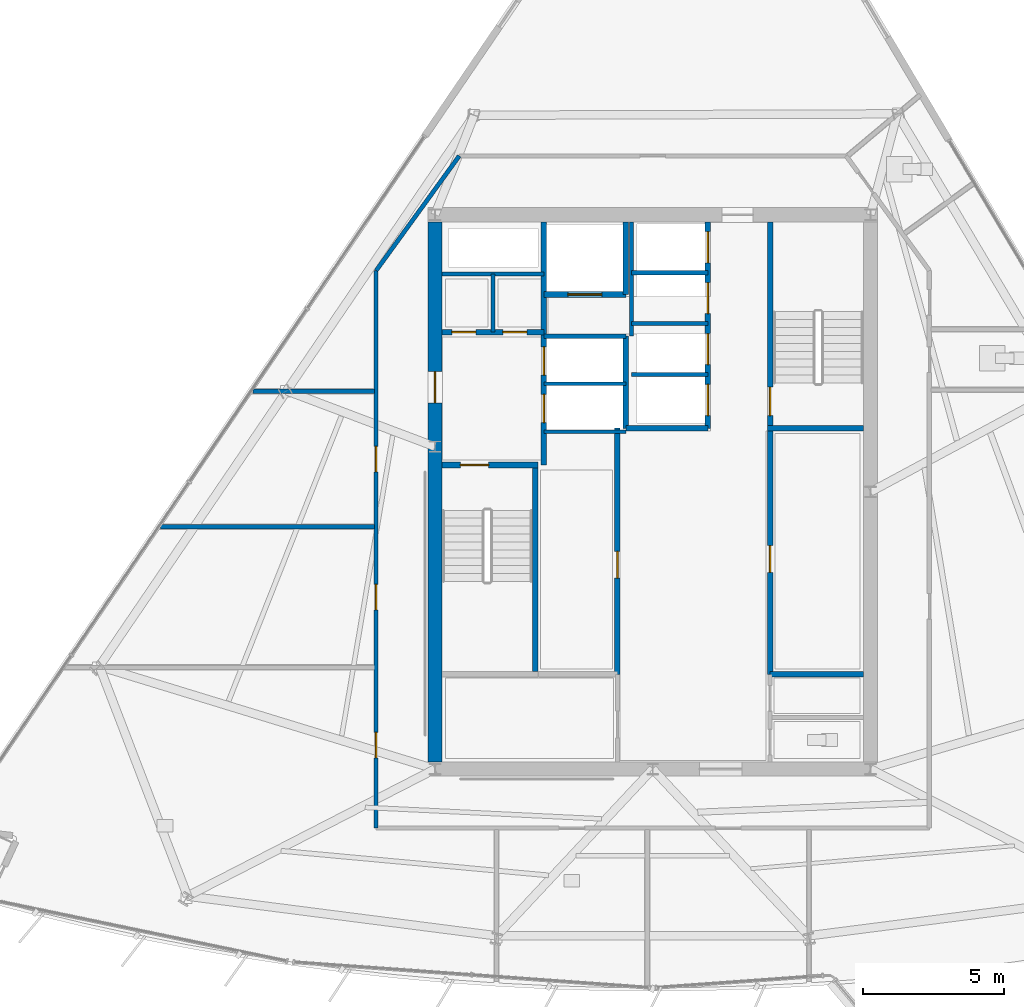
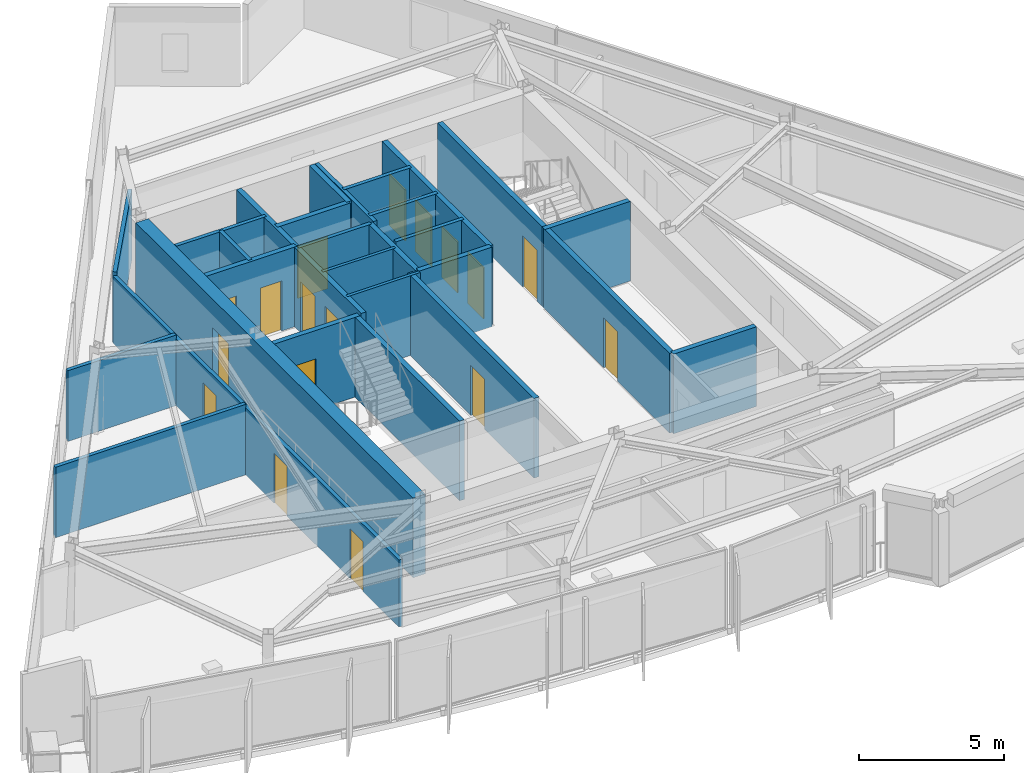
# One storey, part 8 of 14: 28 walls, 17 doors, 17 openings.
"""IFC4 building model written with IfcOpenShell, lengths in metres."""

from ifc_helpers import new_model, si_unit, direction, frame, frame_2d, origin, place, context, subcontext, project, spatial, rectangle, extrude, material, layer, layer_set, type_object, element, fill, save


model = new_model("IFC4")

# Units and contexts
model_context = context("Model", 3, precision=1e-05, world=origin(), true_north=direction((0.0, 1.0)))
body_context = subcontext(model_context, "Body", "Model", "MODEL_VIEW")
ifc_project = project(units=[si_unit("LENGTHUNIT", "METRE"), si_unit("AREAUNIT", "SQUARE_METRE"), si_unit("VOLUMEUNIT", "CUBIC_METRE"), si_unit("PLANEANGLEUNIT", "RADIAN"), si_unit("MASSUNIT", "GRAM", prefix="KILO")], contexts=[model_context])

# Site, building, storey
site_placement = place(None, origin())
site = spatial("IfcSite", under=ifc_project, at=site_placement, CompositionType="ELEMENT")
building_placement = place(site_placement, origin())
building = spatial("IfcBuilding", under=site, at=building_placement, Name="Savorim Split Tower", CompositionType="ELEMENT")
storey_placement = place(building_placement, frame((0.0, 0.0, 219.89990234375)))
storey = spatial("IfcBuildingStorey", under=building, at=storey_placement, Name="L58", CompositionType="ELEMENT", Elevation=219.89990234375)

# Wall, opening, door
ifc_material_1 = material(Name="Concrete C60/75", Category="concrete")
ifc_layer_1 = layer(ifc_material_1, 0.5)
ifc_layer_set_1 = layer_set([ifc_layer_1], Name="WAL-COR-SH500")
wall_type_1 = type_object("IfcWallType", Name="WAL-COR-SH500", PredefinedType="SHEAR", material=ifc_layer_set_1)
wall_1_placement = place(storey_placement, frame((-7.699951171875, -9.14990234375, 0.0), z_axis=(0.0, 0.0, 1.0), x_axis=(0.0, 1.0, 0.0)))
wall_1 = element("IfcWall", 1, at=wall_1_placement, inside=storey, type_object=wall_type_1, Name="L58 Offset Core West Shear Wall", PredefinedType="SHEAR", context=body_context, shape_type="SweptSolid", body=[
    extrude(rectangle(XDim=19.099853515625, YDim=0.5, at=frame_2d((9.5498046875, 0.0))), origin(), (0.0, 0.0, 1.0), 3.35009765625),
])
opening_1_placement = place(wall_1_placement, frame((12.699951171875, 0.0, 0.0)))
opening_1 = element("IfcOpeningElement", 2, at=opening_1_placement, cuts=wall_1, Name="Opening DI-03", PredefinedType="OPENING", context=body_context, shape_type="SweptSolid", body=[
    extrude(rectangle(XDim=1.10009765625, YDim=2.14990234375, at=frame_2d((0.550048828125, 1.074951171875))), frame((0.0, 0.260009765625, 0.0), z_axis=(0.0, -1.0, 0.0), x_axis=(1.0, 0.0, 0.0)), (0.0, 0.0, 1.0), 0.52001953125),
])
ifc_material_2 = material(Name="Timber Fire Door Leaf", Category="wood")
door_type_1 = type_object("IfcDoorType", Name="DOR-FIR-1100", OperationType="NOTDEFINED", PredefinedType="DOOR", material=ifc_material_2)
door_1_placement = place(opening_1_placement, origin())
door_1 = element("IfcDoor", 3, at=door_1_placement, inside=storey, type_object=door_type_1, Name="DOR-L58-COR-FFLOB - L58 Firefighting Lobby Corridor Door", OperationType="SINGLE_SWING_RIGHT", OverallHeight=2.14990234375, OverallWidth=1.10009765625, PredefinedType="DOOR", context=body_context, shape_type="SweptSolid", body=[
    extrude(rectangle(XDim=1.10009765625, YDim=2.14990234375, at=frame_2d((0.550048828125, 1.074951171875))), frame((0.0, 0.02490234375, 0.0), z_axis=(0.0, -1.0, 0.0), x_axis=(1.0, 0.0, 0.0)), (0.0, 0.0, 1.0), 0.050048828125),
])
fill(opening_1, door_1)

ifc_material_3 = material(Name="Concrete C50/60", Category="concrete")
ifc_layer_2 = layer(ifc_material_3, 0.199951171875)
ifc_layer_set_2 = layer_set([ifc_layer_2], Name="WAL-INT-RC200")
wall_type_2 = type_object("IfcWallType", Name="WAL-INT-RC200", PredefinedType="SOLIDWALL", material=ifc_layer_set_2)
wall_2_placement = place(storey_placement, frame((-7.449951171875, 1.35009765625, 0.0), z_axis=(0.0, 0.0, 1.0), x_axis=(1.0, 0.0, 0.0)))
wall_2 = element("IfcWall", 4, at=wall_2_placement, inside=storey, type_object=wall_type_2, Name="L58 Structural Shaft Wall W-L58-CR01", PredefinedType="SOLIDWALL", context=body_context, shape_type="SweptSolid", body=[
    extrude(rectangle(XDim=3.39990234375, YDim=0.199951171875, at=frame_2d((1.699951171875, 0.0))), origin(), (0.0, 0.0, 1.0), 3.35009765625),
])
opening_2_placement = place(wall_2_placement, frame((0.64990234375, 0.0, 0.0)))
opening_2 = element("IfcOpeningElement", 5, at=opening_2_placement, cuts=wall_2, Name="Opening DI-04", PredefinedType="OPENING", context=body_context, shape_type="SweptSolid", body=[
    extrude(rectangle(XDim=1.0, YDim=2.14990234375, at=frame_2d((0.5, 1.074951171875))), frame((0.0, 0.10986328125, 0.0), z_axis=(0.0, -1.0, 0.0), x_axis=(1.0, 0.0, 0.0)), (0.0, 0.0, 1.0), 0.219970703125),
])
door_type_2 = type_object("IfcDoorType", Name="DOR-FIR-1000", OperationType="NOTDEFINED", PredefinedType="DOOR", material=ifc_material_2)
door_2_placement = place(opening_2_placement, origin())
door_2 = element("IfcDoor", 6, at=door_2_placement, inside=storey, type_object=door_type_2, Name="DR-L58-ST1 - L58 Stair ST-1 Enclosure Door", OperationType="SINGLE_SWING_LEFT", OverallHeight=2.14990234375, OverallWidth=1.0, PredefinedType="DOOR", context=body_context, shape_type="SweptSolid", body=[
    extrude(rectangle(XDim=1.0, YDim=2.14990234375, at=frame_2d((0.5, 1.074951171875))), frame((0.0, 0.02490234375, 0.0), z_axis=(0.0, -1.0, 0.0), x_axis=(1.0, 0.0, 0.0)), (0.0, 0.0, 1.0), 0.050048828125),
])
fill(opening_2, door_2)

# Wall
wall_3_placement = place(storey_placement, frame((-4.14990234375, -5.949951171875, 0.0), z_axis=(0.0, 0.0, 1.0), x_axis=(0.0, 1.0, 0.0)))
element("IfcWall", 7, at=wall_3_placement, inside=storey, type_object=wall_type_2, Name="L58 Structural Shaft Wall W-L58-CR02", PredefinedType="SOLIDWALL", context=body_context, shape_type="SweptSolid", body=[
    extrude(rectangle(XDim=7.199951171875, YDim=0.199951171875, at=frame_2d((3.60009765625, 0.0))), origin(), (0.0, 0.0, 1.0), 3.35009765625),
])

# Wall, openings, doors
wall_4_placement = place(storey_placement, frame((-3.85009765625, 1.35009765625, 0.0), z_axis=(0.0, 0.0, 1.0), x_axis=(0.0, 1.0, 0.0)))
wall_4 = element("IfcWall", 8, at=wall_4_placement, inside=storey, type_object=wall_type_2, Name="L58 Partition W-L58-CR03", PredefinedType="SOLIDWALL", context=body_context, shape_type="SweptSolid", body=[
    extrude(rectangle(XDim=8.594970703125, YDim=0.199951171875, at=frame_2d((4.29736328125, 0.0))), origin(), (0.0, 0.0, 1.0), 3.35009765625),
])
opening_3_placement = place(wall_4_placement, frame((1.5, 0.0, 0.0)))
opening_3 = element("IfcOpeningElement", 9, at=opening_3_placement, cuts=wall_4, Name="Opening LD-FFL", PredefinedType="OPENING", context=body_context, shape_type="SweptSolid", body=[
    extrude(rectangle(XDim=1.0, YDim=2.14990234375, at=frame_2d((0.5, 1.074951171875))), frame((0.0, 0.10986328125, 0.0), z_axis=(0.0, -1.0, 0.0), x_axis=(1.0, 0.0, 0.0)), (0.0, 0.0, 1.0), 0.219970703125),
])
opening_4_placement = place(wall_4_placement, frame((3.179931640625, 0.0, 0.0)))
opening_4 = element("IfcOpeningElement", 10, at=opening_4_placement, cuts=wall_4, Name="Opening LD-FFL", PredefinedType="OPENING", context=body_context, shape_type="SweptSolid", body=[
    extrude(rectangle(XDim=1.0, YDim=2.14990234375, at=frame_2d((0.5, 1.074951171875))), frame((0.0, 0.10986328125, 0.0), z_axis=(0.0, -1.0, 0.0), x_axis=(1.0, 0.0, 0.0)), (0.0, 0.0, 1.0), 0.219970703125),
])
ifc_material_4 = material(Name="Charcoal Anodised Aluminium", Category="aluminium")
door_type_3 = type_object("IfcDoorType", Name="DOR-SLD-LD1000", OperationType="NOTDEFINED", PredefinedType="DOOR", material=ifc_material_4)
door_3_placement = place(opening_3_placement, origin())
door_3 = element("IfcDoor", 11, at=door_3_placement, inside=storey, type_object=door_type_3, Name="DR-L58-LD-FFL1 - L58 Firefighting Lift FFL-1 Sliding Landing Door", OperationType="DOUBLE_DOOR_SLIDING", OverallHeight=2.14990234375, OverallWidth=1.0, PredefinedType="DOOR", context=body_context, shape_type="SweptSolid", body=[
    extrude(rectangle(XDim=1.0, YDim=2.14990234375, at=frame_2d((0.5, 1.074951171875))), frame((0.0, 0.02490234375, 0.0), z_axis=(0.0, -1.0, 0.0), x_axis=(1.0, 0.0, 0.0)), (0.0, 0.0, 1.0), 0.050048828125),
])
fill(opening_3, door_3)
door_4_placement = place(opening_4_placement, origin())
door_4 = element("IfcDoor", 12, at=door_4_placement, inside=storey, type_object=door_type_3, Name="DR-L58-LD-FFL2 - L58 Firefighting Lift FFL-2 Sliding Landing Door", OperationType="DOUBLE_DOOR_SLIDING", OverallHeight=2.14990234375, OverallWidth=1.0, PredefinedType="DOOR", context=body_context, shape_type="SweptSolid", body=[
    extrude(rectangle(XDim=1.0, YDim=2.14990234375, at=frame_2d((0.5, 1.074951171875))), frame((0.0, 0.02490234375, 0.0), z_axis=(0.0, -1.0, 0.0), x_axis=(1.0, 0.0, 0.0)), (0.0, 0.0, 1.0), 0.050048828125),
])
fill(opening_4, door_4)

wall_5_placement = place(storey_placement, frame((-7.445068359375, 6.050048828125, 0.0), z_axis=(0.0, 0.0, 1.0), x_axis=(1.0, 0.0, 0.0)))
wall_5 = element("IfcWall", 13, at=wall_5_placement, inside=storey, type_object=wall_type_2, Name="L58 Partition W-L58-CR04", PredefinedType="SOLIDWALL", context=body_context, shape_type="SweptSolid", body=[
    extrude(rectangle(XDim=3.594970703125, YDim=0.199951171875, at=frame_2d((1.79736328125, 0.0))), origin(), (0.0, 0.0, 1.0), 3.35009765625),
])
opening_5_placement = place(wall_5_placement, frame((0.344970703125, 0.0, 0.0)))
opening_5 = element("IfcOpeningElement", 14, at=opening_5_placement, cuts=wall_5, Name="Opening DI-12", PredefinedType="OPENING", context=body_context, shape_type="SweptSolid", body=[
    extrude(rectangle(XDim=0.85009765625, YDim=2.10009765625, at=frame_2d((0.425048828125, 1.050048828125))), frame((0.0, 0.10986328125, 0.0), z_axis=(0.0, -1.0, 0.0), x_axis=(1.0, 0.0, 0.0)), (0.0, 0.0, 1.0), 0.219970703125),
])
opening_6_placement = place(wall_5_placement, frame((2.14501953125, 0.0, 0.0)))
opening_6 = element("IfcOpeningElement", 15, at=opening_6_placement, cuts=wall_5, Name="Opening DI-12", PredefinedType="OPENING", context=body_context, shape_type="SweptSolid", body=[
    extrude(rectangle(XDim=0.85009765625, YDim=2.10009765625, at=frame_2d((0.425048828125, 1.050048828125))), frame((0.0, 0.10986328125, 0.0), z_axis=(0.0, -1.0, 0.0), x_axis=(1.0, 0.0, 0.0)), (0.0, 0.0, 1.0), 0.219970703125),
])
ifc_material_5 = material(Name="Galvanised Painted Steel Balustrade", Category="steel")
door_type_4 = type_object("IfcDoorType", Name="DOR-RIS-850", OperationType="NOTDEFINED", PredefinedType="DOOR", material=ifc_material_5)
door_5_placement = place(opening_5_placement, origin())
door_5 = element("IfcDoor", 16, at=door_5_placement, inside=storey, type_object=door_type_4, Name="DR-L58-ELR - L58 Electrical Riser Access Door", OperationType="SINGLE_SWING_RIGHT", OverallHeight=2.10009765625, OverallWidth=0.85009765625, PredefinedType="DOOR", context=body_context, shape_type="SweptSolid", body=[
    extrude(rectangle(XDim=0.85009765625, YDim=2.10009765625, at=frame_2d((0.425048828125, 1.050048828125))), frame((0.0, 0.02490234375, 0.0), z_axis=(0.0, -1.0, 0.0), x_axis=(1.0, 0.0, 0.0)), (0.0, 0.0, 1.0), 0.050048828125),
])
fill(opening_5, door_5)
door_6_placement = place(opening_6_placement, origin())
door_6 = element("IfcDoor", 17, at=door_6_placement, inside=storey, type_object=door_type_4, Name="DR-L58-TLR - L58 Telecom Riser Access Door", OperationType="SINGLE_SWING_LEFT", OverallHeight=2.10009765625, OverallWidth=0.85009765625, PredefinedType="DOOR", context=body_context, shape_type="SweptSolid", body=[
    extrude(rectangle(XDim=0.85009765625, YDim=2.10009765625, at=frame_2d((0.425048828125, 1.050048828125))), frame((0.0, 0.02490234375, 0.0), z_axis=(0.0, -1.0, 0.0), x_axis=(1.0, 0.0, 0.0)), (0.0, 0.0, 1.0), 0.050048828125),
])
fill(opening_6, door_6)

# Wall, opening, door
wall_6_placement = place(storey_placement, frame((4.14990234375, 2.75, 0.0), z_axis=(0.0, 0.0, 1.0), x_axis=(0.0, 1.0, 0.0)))
wall_6 = element("IfcWall", 18, at=wall_6_placement, inside=storey, type_object=wall_type_2, Name="L58 Structural Shaft Wall W-L58-CR07", PredefinedType="SOLIDWALL", context=body_context, shape_type="SweptSolid", body=[
    extrude(rectangle(XDim=7.199951171875, YDim=0.199951171875, at=frame_2d((3.60009765625, 0.0))), origin(), (0.0, 0.0, 1.0), 3.35009765625),
])
opening_7_placement = place(wall_6_placement, frame((0.35009765625, 0.0, 0.0)))
opening_7 = element("IfcOpeningElement", 19, at=opening_7_placement, cuts=wall_6, Name="Opening DI-04", PredefinedType="OPENING", context=body_context, shape_type="SweptSolid", body=[
    extrude(rectangle(XDim=1.0, YDim=2.14990234375, at=frame_2d((0.5, 1.074951171875))), frame((0.0, 0.10986328125, 0.0), z_axis=(0.0, -1.0, 0.0), x_axis=(1.0, 0.0, 0.0)), (0.0, 0.0, 1.0), 0.219970703125),
])
door_7_placement = place(opening_7_placement, origin())
door_7 = element("IfcDoor", 20, at=door_7_placement, inside=storey, type_object=door_type_2, Name="DR-L58-ST2 - L58 Stair ST-2 Enclosure Door", OperationType="SINGLE_SWING_RIGHT", OverallHeight=2.14990234375, OverallWidth=1.0, PredefinedType="DOOR", context=body_context, shape_type="SweptSolid", body=[
    extrude(rectangle(XDim=1.0, YDim=2.14990234375, at=frame_2d((0.5, 1.074951171875))), frame((0.0, 0.02490234375, 0.0), z_axis=(0.0, -1.0, 0.0), x_axis=(1.0, 0.0, 0.0)), (0.0, 0.0, 1.0), 0.050048828125),
])
fill(opening_7, door_7)

# Walls
wall_7_placement = place(storey_placement, frame((4.050048828125, 2.64990234375, 0.0), z_axis=(0.0, 0.0, 1.0), x_axis=(1.0, 0.0, 0.0)))
element("IfcWall", 21, at=wall_7_placement, inside=storey, type_object=wall_type_2, Name="L58 Structural Shaft Wall W-L58-CR08", PredefinedType="SOLIDWALL", context=body_context, shape_type="SweptSolid", body=[
    extrude(rectangle(XDim=3.39990234375, YDim=0.199951171875, at=frame_2d((1.699951171875, 0.0))), origin(), (0.0, 0.0, 1.0), 3.35009765625),
])
wall_8_placement = place(storey_placement, frame((-0.949951171875, 2.64990234375, 0.0), z_axis=(0.0, 0.0, 1.0), x_axis=(0.0, 1.0, 0.0)))
element("IfcWall", 22, at=wall_8_placement, inside=storey, type_object=wall_type_2, Name="L58 Partition W-L58-FFLW", PredefinedType="SOLIDWALL", context=body_context, shape_type="SweptSolid", body=[
    extrude(rectangle(XDim=3.27001953125, YDim=0.199951171875, at=frame_2d((1.635009765625, 0.0))), origin(), (0.0, 0.0, 1.0), 3.35009765625),
])

# Wall, opening, door
wall_9_placement = place(storey_placement, frame((-3.85009765625, 7.3798828125, 0.0), z_axis=(0.0, 0.0, 1.0), x_axis=(1.0, 0.0, 0.0)))
wall_9 = element("IfcWall", 23, at=wall_9_placement, inside=storey, type_object=wall_type_2, Name="L58 Partition W-L58-SVLS", PredefinedType="SOLIDWALL", context=body_context, shape_type="SweptSolid", body=[
    extrude(rectangle(XDim=2.900146484375, YDim=0.199951171875, at=frame_2d((1.4501953125, 0.0))), origin(), (0.0, 0.0, 1.0), 3.35009765625),
])
opening_8_placement = place(wall_9_placement, frame((0.85009765625, 0.0, 0.0)))
opening_8 = element("IfcOpeningElement", 24, at=opening_8_placement, cuts=wall_9, Name="Opening LD-SV", PredefinedType="OPENING", context=body_context, shape_type="SweptSolid", body=[
    extrude(rectangle(XDim=1.199951171875, YDim=2.199951171875, at=frame_2d((0.60009765625, 1.10009765625))), frame((0.0, 0.10986328125, 0.0), z_axis=(0.0, -1.0, 0.0), x_axis=(1.0, 0.0, 0.0)), (0.0, 0.0, 1.0), 0.219970703125),
])
door_type_5 = type_object("IfcDoorType", Name="DOR-SLD-SV1200", OperationType="NOTDEFINED", PredefinedType="DOOR", material=ifc_material_4)
door_8_placement = place(opening_8_placement, origin())
door_8 = element("IfcDoor", 25, at=door_8_placement, inside=storey, type_object=door_type_5, Name="DR-L58-LD-SVL1 - L58 Service Lift SVL-1 Sliding Landing Door", OperationType="DOUBLE_DOOR_SLIDING", OverallHeight=2.199951171875, OverallWidth=1.199951171875, PredefinedType="DOOR", context=body_context, shape_type="SweptSolid", body=[
    extrude(rectangle(XDim=1.199951171875, YDim=2.199951171875, at=frame_2d((0.60009765625, 1.10009765625))), frame((0.0, 0.02490234375, 0.0), z_axis=(0.0, -1.0, 0.0), x_axis=(1.0, 0.0, 0.0)), (0.0, 0.0, 1.0), 0.050048828125),
])
fill(opening_8, door_8)

# Wall
wall_10_placement = place(storey_placement, frame((-0.949951171875, 7.3798828125, 0.0), z_axis=(0.0, 0.0, 1.0), x_axis=(0.0, 1.0, 0.0)))
element("IfcWall", 26, at=wall_10_placement, inside=storey, type_object=wall_type_2, Name="L58 Partition W-L58-SVLE", PredefinedType="SOLIDWALL", context=body_context, shape_type="SweptSolid", body=[
    extrude(rectangle(XDim=2.565185546875, YDim=0.199951171875, at=frame_2d((1.28271484375, 0.0))), origin(), (0.0, 0.0, 1.0), 3.35009765625),
])

# Wall, opening, door
wall_11_placement = place(storey_placement, frame((4.14990234375, -6.050048828125, 0.0), z_axis=(0.0, 0.0, 1.0), x_axis=(0.0, 1.0, 0.0)))
wall_11 = element("IfcWall", 27, at=wall_11_placement, inside=storey, type_object=wall_type_2, Name="L58 Partition W-L58-B1FRONT", PredefinedType="SOLIDWALL", context=body_context, shape_type="SweptSolid", body=[
    extrude(rectangle(XDim=8.699951171875, YDim=0.199951171875, at=frame_2d((4.35009765625, 0.0))), origin(), (0.0, 0.0, 1.0), 3.35009765625),
])
opening_9_placement = place(wall_11_placement, frame((3.60009765625, 0.0, 0.0)))
opening_9 = element("IfcOpeningElement", 28, at=opening_9_placement, cuts=wall_11, Name="Opening DI-05", PredefinedType="OPENING", context=body_context, shape_type="SweptSolid", body=[
    extrude(rectangle(XDim=0.949951171875, YDim=2.10009765625, at=frame_2d((0.47509765625, 1.050048828125))), frame((0.0, 0.10986328125, 0.0), z_axis=(0.0, -1.0, 0.0), x_axis=(1.0, 0.0, 0.0)), (0.0, 0.0, 1.0), 0.219970703125),
])
door_type_6 = type_object("IfcDoorType", Name="DOR-FIR-950", OperationType="NOTDEFINED", PredefinedType="DOOR", material=ifc_material_2)
door_9_placement = place(opening_9_placement, origin())
door_9 = element("IfcDoor", 29, at=door_9_placement, inside=storey, type_object=door_type_6, Name="DR-L58-LV7B1 - L58 Shared Pantry and Linen Room Door", OperationType="SINGLE_SWING_RIGHT", OverallHeight=2.10009765625, OverallWidth=0.949951171875, PredefinedType="DOOR", context=body_context, shape_type="SweptSolid", body=[
    extrude(rectangle(XDim=0.949951171875, YDim=2.10009765625, at=frame_2d((0.47509765625, 1.050048828125))), frame((0.0, 0.02490234375, 0.0), z_axis=(0.0, -1.0, 0.0), x_axis=(1.0, 0.0, 0.0)), (0.0, 0.0, 1.0), 0.050048828125),
])
fill(opening_9, door_9)

wall_12_placement = place(storey_placement, frame((-1.25, -6.050048828125, 0.0), z_axis=(0.0, 0.0, 1.0), x_axis=(0.0, 1.0, 0.0)))
wall_12 = element("IfcWall", 30, at=wall_12_placement, inside=storey, type_object=wall_type_2, Name="L58 Partition W-L58-B2FRONT", PredefinedType="SOLIDWALL", context=body_context, shape_type="SweptSolid", body=[
    extrude(rectangle(XDim=8.699951171875, YDim=0.199951171875, at=frame_2d((4.35009765625, 0.0))), origin(), (0.0, 0.0, 1.0), 3.35009765625),
])
opening_10_placement = place(wall_12_placement, frame((3.39990234375, 0.0, 0.0)))
opening_10 = element("IfcOpeningElement", 31, at=opening_10_placement, cuts=wall_12, Name="Opening DI-05", PredefinedType="OPENING", context=body_context, shape_type="SweptSolid", body=[
    extrude(rectangle(XDim=0.949951171875, YDim=2.10009765625, at=frame_2d((0.47509765625, 1.050048828125))), frame((0.0, 0.10986328125, 0.0), z_axis=(0.0, -1.0, 0.0), x_axis=(1.0, 0.0, 0.0)), (0.0, 0.0, 1.0), 0.219970703125),
])
door_10_placement = place(opening_10_placement, origin())
door_10 = element("IfcDoor", 32, at=door_10_placement, inside=storey, type_object=door_type_6, Name="DR-L58-LV7B2 - L58 Housekeeping and Parcel Room Door", OperationType="SINGLE_SWING_LEFT", OverallHeight=2.10009765625, OverallWidth=0.949951171875, PredefinedType="DOOR", context=body_context, shape_type="SweptSolid", body=[
    extrude(rectangle(XDim=0.949951171875, YDim=2.10009765625, at=frame_2d((0.47509765625, 1.050048828125))), frame((0.0, 0.02490234375, 0.0), z_axis=(0.0, -1.0, 0.0), x_axis=(1.0, 0.0, 0.0)), (0.0, 0.0, 1.0), 0.050048828125),
])
fill(opening_10, door_10)

# Wall, openings, doors
wall_13_placement = place(storey_placement, frame((1.949951171875, 2.64990234375, 0.0), z_axis=(0.0, 0.0, 1.0), x_axis=(0.0, 1.0, 0.0)))
wall_13 = element("IfcWall", 33, at=wall_13_placement, inside=storey, type_object=wall_type_2, Name="L58 Partition W-L58-B3FRONT", PredefinedType="SOLIDWALL", context=body_context, shape_type="SweptSolid", body=[
    extrude(rectangle(XDim=7.295166015625, YDim=0.199951171875, at=frame_2d((3.6474609375, 0.0))), origin(), (0.0, 0.0, 1.0), 3.35009765625),
])
opening_11_placement = place(wall_13_placement, frame((0.449951171875, 0.0, 0.0)))
opening_11 = element("IfcOpeningElement", 34, at=opening_11_placement, cuts=wall_13, Name="Opening LD-03", PredefinedType="OPENING", context=body_context, shape_type="SweptSolid", body=[
    extrude(rectangle(XDim=1.10009765625, YDim=2.14990234375, at=frame_2d((0.550048828125, 1.074951171875))), frame((0.0, 0.10986328125, 0.0), z_axis=(0.0, -1.0, 0.0), x_axis=(1.0, 0.0, 0.0)), (0.0, 0.0, 1.0), 0.219970703125),
])
opening_12_placement = place(wall_13_placement, frame((2.25, 0.0, 0.0)))
opening_12 = element("IfcOpeningElement", 35, at=opening_12_placement, cuts=wall_13, Name="Opening LD-03", PredefinedType="OPENING", context=body_context, shape_type="SweptSolid", body=[
    extrude(rectangle(XDim=1.10009765625, YDim=2.14990234375, at=frame_2d((0.550048828125, 1.074951171875))), frame((0.0, 0.10986328125, 0.0), z_axis=(0.0, -1.0, 0.0), x_axis=(1.0, 0.0, 0.0)), (0.0, 0.0, 1.0), 0.219970703125),
])
opening_13_placement = place(wall_13_placement, frame((4.050048828125, 0.0, 0.0)))
opening_13 = element("IfcOpeningElement", 36, at=opening_13_placement, cuts=wall_13, Name="Opening LD-03", PredefinedType="OPENING", context=body_context, shape_type="SweptSolid", body=[
    extrude(rectangle(XDim=1.10009765625, YDim=2.14990234375, at=frame_2d((0.550048828125, 1.074951171875))), frame((0.0, 0.10986328125, 0.0), z_axis=(0.0, -1.0, 0.0), x_axis=(1.0, 0.0, 0.0)), (0.0, 0.0, 1.0), 0.219970703125),
])
opening_14_placement = place(wall_13_placement, frame((5.85009765625, 0.0, 0.0)))
opening_14 = element("IfcOpeningElement", 37, at=opening_14_placement, cuts=wall_13, Name="Opening LD-03", PredefinedType="OPENING", context=body_context, shape_type="SweptSolid", body=[
    extrude(rectangle(XDim=1.10009765625, YDim=2.14990234375, at=frame_2d((0.550048828125, 1.074951171875))), frame((0.0, 0.10986328125, 0.0), z_axis=(0.0, -1.0, 0.0), x_axis=(1.0, 0.0, 0.0)), (0.0, 0.0, 1.0), 0.219970703125),
])
door_type_7 = type_object("IfcDoorType", Name="DOR-SLD-LDH1100", OperationType="NOTDEFINED", PredefinedType="DOOR", material=ifc_material_4)
door_11_placement = place(opening_11_placement, origin())
door_11 = element("IfcDoor", 38, at=door_11_placement, inside=storey, type_object=door_type_7, Name="DR-L58-LD-PLH1 - L58 Lift PL-H1 Sliding Landing Door", OperationType="DOUBLE_DOOR_SLIDING", OverallHeight=2.14990234375, OverallWidth=1.10009765625, PredefinedType="DOOR", context=body_context, shape_type="SweptSolid", body=[
    extrude(rectangle(XDim=1.10009765625, YDim=2.14990234375, at=frame_2d((0.550048828125, 1.074951171875))), frame((0.0, 0.02490234375, 0.0), z_axis=(0.0, -1.0, 0.0), x_axis=(1.0, 0.0, 0.0)), (0.0, 0.0, 1.0), 0.050048828125),
])
fill(opening_11, door_11)
door_12_placement = place(opening_12_placement, origin())
door_12 = element("IfcDoor", 39, at=door_12_placement, inside=storey, type_object=door_type_7, Name="DR-L58-LD-PLH2 - L58 Lift PL-H2 Sliding Landing Door", OperationType="DOUBLE_DOOR_SLIDING", OverallHeight=2.14990234375, OverallWidth=1.10009765625, PredefinedType="DOOR", context=body_context, shape_type="SweptSolid", body=[
    extrude(rectangle(XDim=1.10009765625, YDim=2.14990234375, at=frame_2d((0.550048828125, 1.074951171875))), frame((0.0, 0.02490234375, 0.0), z_axis=(0.0, -1.0, 0.0), x_axis=(1.0, 0.0, 0.0)), (0.0, 0.0, 1.0), 0.050048828125),
])
fill(opening_12, door_12)
door_13_placement = place(opening_13_placement, origin())
door_13 = element("IfcDoor", 40, at=door_13_placement, inside=storey, type_object=door_type_7, Name="DR-L58-LD-PLH3 - L58 Lift PL-H3 Sliding Landing Door", OperationType="DOUBLE_DOOR_SLIDING", OverallHeight=2.14990234375, OverallWidth=1.10009765625, PredefinedType="DOOR", context=body_context, shape_type="SweptSolid", body=[
    extrude(rectangle(XDim=1.10009765625, YDim=2.14990234375, at=frame_2d((0.550048828125, 1.074951171875))), frame((0.0, 0.02490234375, 0.0), z_axis=(0.0, -1.0, 0.0), x_axis=(1.0, 0.0, 0.0)), (0.0, 0.0, 1.0), 0.050048828125),
])
fill(opening_13, door_13)
door_14_placement = place(opening_14_placement, origin())
door_14 = element("IfcDoor", 41, at=door_14_placement, inside=storey, type_object=door_type_7, Name="DR-L58-LD-PLH4 - L58 Lift PL-H4 Sliding Landing Door", OperationType="DOUBLE_DOOR_SLIDING", OverallHeight=2.14990234375, OverallWidth=1.10009765625, PredefinedType="DOOR", context=body_context, shape_type="SweptSolid", body=[
    extrude(rectangle(XDim=1.10009765625, YDim=2.14990234375, at=frame_2d((0.550048828125, 1.074951171875))), frame((0.0, 0.02490234375, 0.0), z_axis=(0.0, -1.0, 0.0), x_axis=(1.0, 0.0, 0.0)), (0.0, 0.0, 1.0), 0.050048828125),
])
fill(opening_14, door_14)

# Walls
wall_14_placement = place(storey_placement, frame((-0.949951171875, 2.64990234375, 0.0), z_axis=(0.0, 0.0, 1.0), x_axis=(1.0, 0.0, 0.0)))
element("IfcWall", 42, at=wall_14_placement, inside=storey, type_object=wall_type_2, Name="L58 Partition W-L58-B3SOUTH", PredefinedType="SOLIDWALL", context=body_context, shape_type="SweptSolid", body=[
    extrude(rectangle(XDim=2.89990234375, YDim=0.199951171875, at=frame_2d((1.449951171875, 0.0))), origin(), (0.0, 0.0, 1.0), 3.35009765625),
])
wall_15_placement = place(storey_placement, frame((4.14990234375, -6.050048828125, 0.0), z_axis=(0.0, 0.0, 1.0), x_axis=(1.0, 0.0, 0.0)))
element("IfcWall", 43, at=wall_15_placement, inside=storey, type_object=wall_type_2, Name="L58 Partition W-L58-KSEP-E", PredefinedType="SOLIDWALL", context=body_context, shape_type="SweptSolid", body=[
    extrude(rectangle(XDim=3.295166015625, YDim=0.199951171875, at=frame_2d((1.6474609375, 0.0))), origin(), (0.0, 0.0, 1.0), 3.35009765625),
])
ifc_material_6 = material(Name="Acoustic Gypsum Partition Board")
ifc_layer_3 = layer(ifc_material_6, 0.1201171875)
ifc_layer_set_3 = layer_set([ifc_layer_3], Name="WAL-PAR-120")
wall_type_3 = type_object("IfcWallType", Name="WAL-PAR-120", PredefinedType="PARTITIONING", material=ifc_layer_set_3)
for number, where, z_axis, x_axis, name in (
    (44, (-3.85009765625, 2.52001953125, 0.0), (0.0, 0.0, 1.0), (1.0, 0.0, 0.0), "L58 Partition W-L58-FFLD0"),
    (45, (-3.85009765625, 4.219970703125, 0.0), (0.0, 0.0, 1.0), (1.0, 0.0, 0.0), "L58 Partition W-L58-FFLD1"),
):
    element("IfcWall", number, at=place(storey_placement, frame(where, z_axis=z_axis, x_axis=x_axis)), inside=storey, type_object=wall_type_3, Name=name, PredefinedType="PARTITIONING", context=body_context, shape_type="SweptSolid", body=[
        extrude(rectangle(XDim=2.900146484375, YDim=0.1201171875, at=frame_2d((1.4501953125, 0.0))), origin(), (0.0, 0.0, 1.0), 3.35009765625),
    ])
ifc_layer_4 = layer(ifc_material_6, 0.14990234375)
ifc_layer_set_4 = layer_set([ifc_layer_4], Name="WAL-PAR-150")
wall_type_4 = type_object("IfcWallType", Name="WAL-PAR-150", PredefinedType="PARTITIONING", material=ifc_layer_set_4)
wall_16_placement = place(storey_placement, frame((-7.445068359375, 8.10009765625, 0.0), z_axis=(0.0, 0.0, 1.0), x_axis=(1.0, 0.0, 0.0)))
element("IfcWall", 46, at=wall_16_placement, inside=storey, type_object=wall_type_4, Name="L58 Partition W-L58-CR05", PredefinedType="PARTITIONING", context=body_context, shape_type="SweptSolid", body=[
    extrude(rectangle(XDim=3.594970703125, YDim=0.14990234375, at=frame_2d((1.79736328125, 0.0))), origin(), (0.0, 0.0, 1.0), 3.35009765625),
])
wall_17_placement = place(storey_placement, frame((-5.64990234375, 6.050048828125, 0.0), z_axis=(0.0, 0.0, 1.0), x_axis=(0.0, 1.0, 0.0)))
element("IfcWall", 47, at=wall_17_placement, inside=storey, type_object=wall_type_4, Name="L58 Partition W-L58-CR06", PredefinedType="PARTITIONING", context=body_context, shape_type="SweptSolid", body=[
    extrude(rectangle(XDim=2.050048828125, YDim=0.14990234375, at=frame_2d((1.02490234375, 0.0))), origin(), (0.0, 0.0, 1.0), 3.35009765625),
])
wall_18_placement = place(storey_placement, frame((-3.85009765625, 5.89990234375, 0.0), z_axis=(0.0, 0.0, 1.0), x_axis=(1.0, 0.0, 0.0)))
element("IfcWall", 48, at=wall_18_placement, inside=storey, type_object=wall_type_4, Name="L58 Partition W-L58-FFLD2", PredefinedType="PARTITIONING", context=body_context, shape_type="SweptSolid", body=[
    extrude(rectangle(XDim=2.900146484375, YDim=0.14990234375, at=frame_2d((1.4501953125, 0.0))), origin(), (0.0, 0.0, 1.0), 3.35009765625),
])
wall_19_placement = place(storey_placement, frame((-0.75, 5.919921875, 0.0), z_axis=(0.0, 0.0, 1.0), x_axis=(0.0, 1.0, 0.0)))
element("IfcWall", 49, at=wall_19_placement, inside=storey, type_object=wall_type_4, Name="L58 Partition W-L58-B3WEST", PredefinedType="PARTITIONING", context=body_context, shape_type="SweptSolid", body=[
    extrude(rectangle(XDim=4.025146484375, YDim=0.14990234375, at=frame_2d((2.0126953125, 0.0))), origin(), (0.0, 0.0, 1.0), 3.35009765625),
])
for number, where, z_axis, x_axis, name in (
    (50, (-0.75, 4.550048828125, 0.0), (0.0, 0.0, 1.0), (1.0, 0.0, 0.0), "L58 Partition W-L58-B3DIV1"),
    (51, (-0.75, 6.35009765625, 0.0), (0.0, 0.0, 1.0), (1.0, 0.0, 0.0), "L58 Partition W-L58-B3DIV2"),
    (52, (-0.75, 8.14990234375, 0.0), (0.0, 0.0, 1.0), (1.0, 0.0, 0.0), "L58 Partition W-L58-B3DIV3"),
):
    element("IfcWall", number, at=place(storey_placement, frame(where, z_axis=z_axis, x_axis=x_axis)), inside=storey, type_object=wall_type_4, Name=name, PredefinedType="PARTITIONING", context=body_context, shape_type="SweptSolid", body=[
        extrude(rectangle(XDim=2.699951171875, YDim=0.14990234375, at=frame_2d((1.35009765625, 0.0))), origin(), (0.0, 0.0, 1.0), 3.35009765625),
    ])

# Wall, openings, doors
wall_20_placement = place(storey_placement, frame((-9.780029296875, -11.47998046875, 0.0), z_axis=(0.0, 0.0, 1.0), x_axis=(0.0, 1.0, 0.0)))
wall_20 = element("IfcWall", 53, at=wall_20_placement, inside=storey, type_object=wall_type_4, Name="L58 Partition W-L58-COR-01", PredefinedType="PARTITIONING", context=body_context, shape_type="SweptSolid", body=[
    extrude(rectangle(XDim=19.705810546875, YDim=0.14990234375, at=frame_2d((9.85302734375, 0.0))), origin(), (0.0, 0.0, 1.0), 2.8251953125),
])
opening_15_placement = place(wall_20_placement, frame((7.708251953125, 0.0, 0.0)))
opening_15 = element("IfcOpeningElement", 54, at=opening_15_placement, cuts=wall_20, Name="Opening DI-06", PredefinedType="OPENING", context=body_context, shape_type="SweptSolid", body=[
    extrude(rectangle(XDim=0.89990234375, YDim=2.10009765625, at=frame_2d((0.449951171875, 1.050048828125))), frame((0.0, 0.0849609375, 0.0), z_axis=(0.0, -1.0, 0.0), x_axis=(1.0, 0.0, 0.0)), (0.0, 0.0, 1.0), 0.169921875),
])
opening_16_placement = place(wall_20_placement, frame((2.475830078125, 0.0, 0.0)))
opening_16 = element("IfcOpeningElement", 55, at=opening_16_placement, cuts=wall_20, Name="Opening DI-06", PredefinedType="OPENING", context=body_context, shape_type="SweptSolid", body=[
    extrude(rectangle(XDim=0.89990234375, YDim=2.10009765625, at=frame_2d((0.449951171875, 1.050048828125))), frame((0.0, 0.0849609375, 0.0), z_axis=(0.0, -1.0, 0.0), x_axis=(1.0, 0.0, 0.0)), (0.0, 0.0, 1.0), 0.169921875),
])
opening_17_placement = place(wall_20_placement, frame((12.590087890625, 0.0, 0.0)))
opening_17 = element("IfcOpeningElement", 56, at=opening_17_placement, cuts=wall_20, Name="Opening DI-06", PredefinedType="OPENING", context=body_context, shape_type="SweptSolid", body=[
    extrude(rectangle(XDim=0.89990234375, YDim=2.10009765625, at=frame_2d((0.449951171875, 1.050048828125))), frame((0.0, 0.0849609375, 0.0), z_axis=(0.0, -1.0, 0.0), x_axis=(1.0, 0.0, 0.0)), (0.0, 0.0, 1.0), 0.169921875),
])
door_type_8 = type_object("IfcDoorType", Name="DOR-FIR-900", OperationType="NOTDEFINED", PredefinedType="DOOR", material=ifc_material_2)
door_15_placement = place(opening_15_placement, origin())
door_15 = element("IfcDoor", 57, at=door_15_placement, inside=storey, type_object=door_type_8, Name="DR-L58-RM01 - L58 Quiet Study Room Entry Door", OperationType="SINGLE_SWING_RIGHT", OverallHeight=2.10009765625, OverallWidth=0.89990234375, PredefinedType="DOOR", context=body_context, shape_type="SweptSolid", body=[
    extrude(rectangle(XDim=0.89990234375, YDim=2.10009765625, at=frame_2d((0.449951171875, 1.050048828125))), frame((0.0, 0.02490234375, 0.0), z_axis=(0.0, -1.0, 0.0), x_axis=(1.0, 0.0, 0.0)), (0.0, 0.0, 1.0), 0.050048828125),
])
fill(opening_15, door_15)
door_16_placement = place(opening_16_placement, origin())
door_16 = element("IfcDoor", 58, at=door_16_placement, inside=storey, type_object=door_type_8, Name="DR-L58-RM02 - L58 Community Laundry Room Entry Door", OperationType="SINGLE_SWING_LEFT", OverallHeight=2.10009765625, OverallWidth=0.89990234375, PredefinedType="DOOR", context=body_context, shape_type="SweptSolid", body=[
    extrude(rectangle(XDim=0.89990234375, YDim=2.10009765625, at=frame_2d((0.449951171875, 1.050048828125))), frame((0.0, 0.02490234375, 0.0), z_axis=(0.0, -1.0, 0.0), x_axis=(1.0, 0.0, 0.0)), (0.0, 0.0, 1.0), 0.050048828125),
])
fill(opening_16, door_16)
door_17_placement = place(opening_17_placement, origin())
door_17 = element("IfcDoor", 59, at=door_17_placement, inside=storey, type_object=door_type_8, Name="DR-L58-RM10 - L58 Quiet Study Room Entry Door", OperationType="SINGLE_SWING_LEFT", OverallHeight=2.10009765625, OverallWidth=0.89990234375, PredefinedType="DOOR", context=body_context, shape_type="SweptSolid", body=[
    extrude(rectangle(XDim=0.89990234375, YDim=2.10009765625, at=frame_2d((0.449951171875, 1.050048828125))), frame((0.0, 0.02490234375, 0.0), z_axis=(0.0, -1.0, 0.0), x_axis=(1.0, 0.0, 0.0)), (0.0, 0.0, 1.0), 0.050048828125),
])
fill(opening_17, door_17)

# Walls
wall_21_placement = place(storey_placement, frame((-9.780029296875, 8.225830078125, 0.0), z_axis=(0.0, 0.0, 1.0), x_axis=(0.586956386413, 0.809618552436, 0.0)))
element("IfcWall", 60, at=wall_21_placement, inside=storey, type_object=wall_type_4, Name="L58 Partition W-L58-COR-02", PredefinedType="PARTITIONING", context=body_context, shape_type="SweptSolid", body=[
    extrude(rectangle(XDim=5.007568359375, YDim=0.14990234375, at=frame_2d((2.50390625, 0.0))), origin(), (0.0, 0.0, 1.0), 2.97509765625),
])
wall_22_placement = place(storey_placement, frame((-9.840087890625, 3.95703125, 0.0), z_axis=(0.0, 0.0, 1.0), x_axis=(-1.0, 0.0, 0.0)))
element("IfcWall", 61, at=wall_22_placement, inside=storey, type_object=wall_type_4, Name="L58 Partition W-L58-PRAD09", PredefinedType="PARTITIONING", context=body_context, shape_type="SweptSolid", body=[
    extrude(rectangle(XDim=4.300537109375, YDim=0.14990234375, at=frame_2d((2.150390625, 0.0))), origin(), (0.0, 0.0, 1.0), 2.97509765625),
])
wall_23_placement = place(storey_placement, frame((-9.840087890625, -0.8369140625, 0.0), z_axis=(0.0, 0.0, 1.0), x_axis=(-1.0, 0.0, 0.0)))
element("IfcWall", 62, at=wall_23_placement, inside=storey, type_object=wall_type_4, Name="L58 Partition W-L58-SUB01", PredefinedType="PARTITIONING", context=body_context, shape_type="SweptSolid", body=[
    extrude(rectangle(XDim=7.561767578125, YDim=0.14990234375, at=frame_2d((3.78076171875, 0.0))), origin(), (0.0, 0.0, 1.0), 2.965087890625),
])

save(model, "model.ifc")
